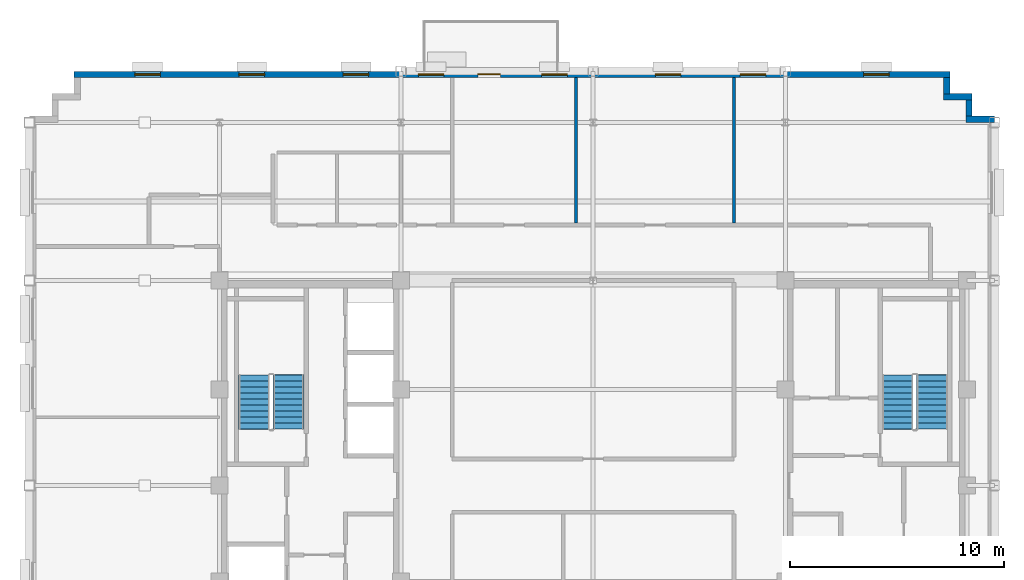
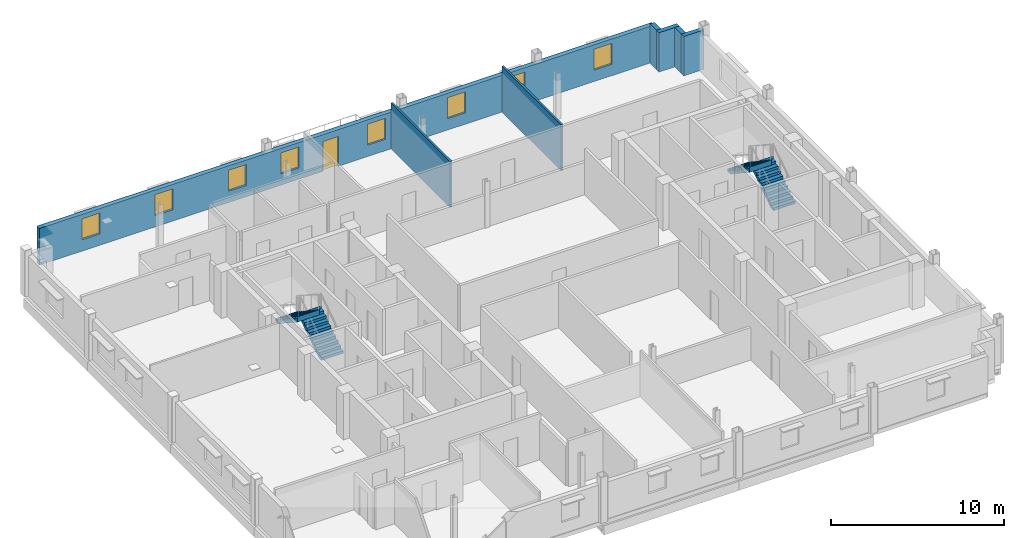
# One storey, part 9 of 14: 8 windows, 7 walls, 4 stair flights, 1 door, 9 openings, 2 elements without a shape of their own.
"""IFC4 building model written with IfcOpenShell, lengths in metres."""

from ifc_helpers import new_model, si_unit, direction, frame, frame_2d, origin, place, context, subcontext, project, spatial, polyline, rectangle, outline, extrude, source, transform, mapped, material, layer, layer_set, type_object, type_shapes, element, fill, aggregate, save


model = new_model("IFC4")

# Units and contexts
model_context = context("Model", 3, precision=1e-05, world=origin(), true_north=direction((0.0, 1.0)))
body_context = subcontext(model_context, "Body", "Model", "MODEL_VIEW")
ifc_project = project(units=[si_unit("LENGTHUNIT", "METRE"), si_unit("AREAUNIT", "SQUARE_METRE"), si_unit("VOLUMEUNIT", "CUBIC_METRE"), si_unit("PLANEANGLEUNIT", "RADIAN"), si_unit("MASSUNIT", "GRAM", prefix="KILO")], contexts=[model_context])

# Site, building, storey
site_placement = place(None, origin())
site = spatial("IfcSite", under=ifc_project, at=site_placement, CompositionType="ELEMENT")
building_placement = place(site_placement, origin())
building = spatial("IfcBuilding", under=site, at=building_placement, Name="Nuvemarco Arch Tower", CompositionType="ELEMENT")
storey_placement = place(building_placement, frame((0.0, 0.0, 242.0)))
storey = spatial("IfcBuildingStorey", under=building, at=storey_placement, Name="L64", CompositionType="ELEMENT", Elevation=242.0)

# Walls
ifc_material_1 = material(Name="Precast concrete C45/55", Category="concrete")
ifc_layer_1 = layer(ifc_material_1, 0.300048828125, Name="EW-HIGH-300")
ifc_layer_set_1 = layer_set([ifc_layer_1], Name="Precast concrete C45/55")
wall_type_1 = type_object("IfcWallType", Name="EW-HIGH-300", PredefinedType="STANDARD", material=ifc_layer_set_1)
wall_1_placement = place(storey_placement, frame((17.449951171875, 17.14990234375, 0.0), z_axis=(0.0, 0.0, 1.0), x_axis=(1.0, 0.0, 0.0)))
element("IfcWall", 1, at=wall_1_placement, inside=storey, type_object=wall_type_1, Name="L64 exterior precast facade wall 7", PredefinedType="STANDARD", context=body_context, shape_type="SweptSolid", body=[
    extrude(rectangle(XDim=1.35009765625, YDim=0.300048828125, at=frame_2d((0.675048828125, 0.0))), origin(), (0.0, 0.0, 1.0), 2.77197265625),
])
wall_2_placement = place(storey_placement, frame((17.60009765625, 17.2958984375, 0.0), z_axis=(0.0, 0.0, 1.0), x_axis=(0.0, 1.0, 0.0)))
element("IfcWall", 2, at=wall_2_placement, inside=storey, type_object=wall_type_1, Name="L64 exterior precast facade wall 8", PredefinedType="STANDARD", context=body_context, shape_type="SweptSolid", body=[
    extrude(rectangle(XDim=0.758056640625, YDim=0.300048828125, at=frame_2d((0.37890625, 0.0))), origin(), (0.0, 0.0, 1.0), 2.77197265625),
])
wall_3_placement = place(storey_placement, frame((16.39990234375, 18.199951171875, 0.0), z_axis=(0.0, 0.0, 1.0), x_axis=(1.0, 0.0, 0.0)))
element("IfcWall", 3, at=wall_3_placement, inside=storey, type_object=wall_type_1, Name="L64 exterior precast facade wall 9", PredefinedType="STANDARD", context=body_context, shape_type="SweptSolid", body=[
    extrude(rectangle(XDim=1.35009765625, YDim=0.300048828125, at=frame_2d((0.675048828125, 0.0))), origin(), (0.0, 0.0, 1.0), 2.77197265625),
])
wall_4_placement = place(storey_placement, frame((16.550048828125, 18.345947265625, 0.0), z_axis=(0.0, 0.0, 1.0), x_axis=(0.0, 1.0, 0.0)))
element("IfcWall", 4, at=wall_4_placement, inside=storey, type_object=wall_type_1, Name="L64 exterior precast facade wall 10", PredefinedType="STANDARD", context=body_context, shape_type="SweptSolid", body=[
    extrude(rectangle(XDim=0.758056640625, YDim=0.300048828125, at=frame_2d((0.37890625, 0.0))), origin(), (0.0, 0.0, 1.0), 2.77197265625),
])

# Wall, openings, door, windows
wall_5_placement = place(storey_placement, frame((-24.300048828125, 19.25, 0.0), z_axis=(0.0, 0.0, 1.0), x_axis=(1.0, 0.0, 0.0)))
wall_5 = element("IfcWall", 5, at=wall_5_placement, inside=storey, type_object=wall_type_1, Name="L64 exterior precast facade wall 11", PredefinedType="STANDARD", context=body_context, shape_type="SweptSolid", body=[
    extrude(rectangle(XDim=41.0, YDim=0.300048828125, at=frame_2d((20.5, 0.0))), origin(), (0.0, 0.0, 1.0), 2.5849609375),
])
opening_1_placement = place(wall_5_placement, frame((18.89990234375, 0.0, 0.0)))
opening_1 = element("IfcOpeningElement", 6, at=opening_1_placement, cuts=wall_5, Name="Opening ED-5", PredefinedType="OPENING", context=body_context, shape_type="SweptSolid", body=[
    extrude(rectangle(XDim=1.050048828125, YDim=2.10009765625, at=frame_2d((0.52490234375, 1.050048828125))), frame((0.0, 0.159912109375, 0.0), z_axis=(0.0, -1.0, 0.0), x_axis=(1.0, 0.0, 0.0)), (0.0, 0.0, 1.0), 0.320068359375),
])
opening_2_placement = place(wall_5_placement, frame((2.83740234375, 0.0, 0.800048828125)))
opening_2 = element("IfcOpeningElement", 7, at=opening_2_placement, cuts=wall_5, Name="Opening WN-8", PredefinedType="OPENING", context=body_context, shape_type="SweptSolid", body=[
    extrude(rectangle(XDim=1.199951171875, YDim=1.47998046875, at=frame_2d((0.60009765625, 0.739990234375))), frame((0.0, 0.159912109375, 0.0), z_axis=(0.0, -1.0, 0.0), x_axis=(1.0, 0.0, 0.0)), (0.0, 0.0, 1.0), 0.320068359375),
])
opening_3_placement = place(wall_5_placement, frame((7.71240234375, 0.0, 0.800048828125)))
opening_3 = element("IfcOpeningElement", 8, at=opening_3_placement, cuts=wall_5, Name="Opening WN-8", PredefinedType="OPENING", context=body_context, shape_type="SweptSolid", body=[
    extrude(rectangle(XDim=1.199951171875, YDim=1.47998046875, at=frame_2d((0.60009765625, 0.739990234375))), frame((0.0, 0.159912109375, 0.0), z_axis=(0.0, -1.0, 0.0), x_axis=(1.0, 0.0, 0.0)), (0.0, 0.0, 1.0), 0.320068359375),
])
opening_4_placement = place(wall_5_placement, frame((12.58740234375, 0.0, 0.800048828125)))
opening_4 = element("IfcOpeningElement", 9, at=opening_4_placement, cuts=wall_5, Name="Opening WN-8", PredefinedType="OPENING", context=body_context, shape_type="SweptSolid", body=[
    extrude(rectangle(XDim=1.199951171875, YDim=1.47998046875, at=frame_2d((0.60009765625, 0.739990234375))), frame((0.0, 0.159912109375, 0.0), z_axis=(0.0, -1.0, 0.0), x_axis=(1.0, 0.0, 0.0)), (0.0, 0.0, 1.0), 0.320068359375),
])
opening_5_placement = place(wall_5_placement, frame((16.112548828125, 0.0, 0.800048828125)))
opening_5 = element("IfcOpeningElement", 10, at=opening_5_placement, cuts=wall_5, Name="Opening WN-8", PredefinedType="OPENING", context=body_context, shape_type="SweptSolid", body=[
    extrude(rectangle(XDim=1.199951171875, YDim=1.47998046875, at=frame_2d((0.60009765625, 0.739990234375))), frame((0.0, 0.159912109375, 0.0), z_axis=(0.0, -1.0, 0.0), x_axis=(1.0, 0.0, 0.0)), (0.0, 0.0, 1.0), 0.320068359375),
])
opening_6_placement = place(wall_5_placement, frame((21.887451171875, 0.0, 0.800048828125)))
opening_6 = element("IfcOpeningElement", 11, at=opening_6_placement, cuts=wall_5, Name="Opening WN-8", PredefinedType="OPENING", context=body_context, shape_type="SweptSolid", body=[
    extrude(rectangle(XDim=1.199951171875, YDim=1.47998046875, at=frame_2d((0.60009765625, 0.739990234375))), frame((0.0, 0.159912109375, 0.0), z_axis=(0.0, -1.0, 0.0), x_axis=(1.0, 0.0, 0.0)), (0.0, 0.0, 1.0), 0.320068359375),
])
opening_7_placement = place(wall_5_placement, frame((27.21240234375, 0.0, 0.800048828125)))
opening_7 = element("IfcOpeningElement", 12, at=opening_7_placement, cuts=wall_5, Name="Opening WN-8", PredefinedType="OPENING", context=body_context, shape_type="SweptSolid", body=[
    extrude(rectangle(XDim=1.199951171875, YDim=1.47998046875, at=frame_2d((0.60009765625, 0.739990234375))), frame((0.0, 0.159912109375, 0.0), z_axis=(0.0, -1.0, 0.0), x_axis=(1.0, 0.0, 0.0)), (0.0, 0.0, 1.0), 0.320068359375),
])
opening_8_placement = place(wall_5_placement, frame((31.1875, 0.0, 0.800048828125)))
opening_8 = element("IfcOpeningElement", 13, at=opening_8_placement, cuts=wall_5, Name="Opening WN-8", PredefinedType="OPENING", context=body_context, shape_type="SweptSolid", body=[
    extrude(rectangle(XDim=1.199951171875, YDim=1.47998046875, at=frame_2d((0.60009765625, 0.739990234375))), frame((0.0, 0.159912109375, 0.0), z_axis=(0.0, -1.0, 0.0), x_axis=(1.0, 0.0, 0.0)), (0.0, 0.0, 1.0), 0.320068359375),
])
opening_9_placement = place(wall_5_placement, frame((36.96240234375, 0.0, 0.800048828125)))
opening_9 = element("IfcOpeningElement", 14, at=opening_9_placement, cuts=wall_5, Name="Opening WN-8", PredefinedType="OPENING", context=body_context, shape_type="SweptSolid", body=[
    extrude(rectangle(XDim=1.199951171875, YDim=1.47998046875, at=frame_2d((0.60009765625, 0.739990234375))), frame((0.0, 0.159912109375, 0.0), z_axis=(0.0, -1.0, 0.0), x_axis=(1.0, 0.0, 0.0)), (0.0, 0.0, 1.0), 0.320068359375),
])
ifc_material_2 = material(Name="Anodised bronze and laminated glass", Category="glass")
door_type = type_object("IfcDoorType", Name="DR-EXT-TERR", OperationType="NOTDEFINED", PredefinedType="DOOR", material=ifc_material_2)
shared_shape_1 = source(origin(), body_context, "Body", "SweptSolid", [
    extrude(rectangle(XDim=1.050048828125, YDim=2.10009765625, at=frame_2d((0.52490234375, 1.050048828125))), frame((0.0, 0.02490234375, 0.0), z_axis=(0.0, -1.0, 0.0), x_axis=(1.0, 0.0, 0.0)), (0.0, 0.0, 1.0), 0.050048828125),
])
type_shapes(door_type, [shared_shape_1])
door_placement = place(opening_1_placement, origin())
door = element("IfcDoor", 15, at=door_placement, inside=storey, type_object=door_type, Name="L64 spiral terrace access door", OperationType="SINGLE_SWING_LEFT", OverallHeight=2.10009765625, OverallWidth=1.050048828125, PredefinedType="DOOR", context=body_context, shape_type="MappedRepresentation", body=[
    mapped(shared_shape_1, transform((0.0, 0.0, 0.0), scale=1.0)),
])
fill(opening_1, door)
ifc_material_3 = material(Name="Insulated solar-control glass", Category="glass")
window_type = type_object("IfcWindowType", Name="WN-HIGH-1200x1480", PartitioningType="SINGLE_PANEL", PredefinedType="WINDOW", material=ifc_material_3)
shared_shape_2 = source(origin(), body_context, "Body", "SweptSolid", [
    extrude(rectangle(XDim=1.199951171875, YDim=1.47998046875, at=frame_2d((0.60009765625, 0.739990234375))), frame((0.0, 0.030029296875, 0.0), z_axis=(0.0, -1.0, 0.0), x_axis=(1.0, 0.0, 0.0)), (0.0, 0.0, 1.0), 0.06005859375),
])
type_shapes(window_type, [shared_shape_2])
window_1_placement = place(opening_2_placement, origin())
window_1 = element("IfcWindow", 16, at=window_1_placement, inside=storey, type_object=window_type, Name="L64 punched facade window 1", OverallHeight=1.47998046875, OverallWidth=1.199951171875, PartitioningType="SINGLE_PANEL", PredefinedType="WINDOW", context=body_context, shape_type="MappedRepresentation", body=[
    mapped(shared_shape_2, transform((0.0, 0.0, 0.0), scale=1.0)),
])
fill(opening_2, window_1)
window_2_placement = place(opening_3_placement, origin())
window_2 = element("IfcWindow", 17, at=window_2_placement, inside=storey, type_object=window_type, Name="L64 punched facade window 2", OverallHeight=1.47998046875, OverallWidth=1.199951171875, PartitioningType="SINGLE_PANEL", PredefinedType="WINDOW", context=body_context, shape_type="MappedRepresentation", body=[
    mapped(shared_shape_2, transform((0.0, 0.0, 0.0), scale=1.0)),
])
fill(opening_3, window_2)
window_3_placement = place(opening_4_placement, origin())
window_3 = element("IfcWindow", 18, at=window_3_placement, inside=storey, type_object=window_type, Name="L64 punched facade window 3", OverallHeight=1.47998046875, OverallWidth=1.199951171875, PartitioningType="SINGLE_PANEL", PredefinedType="WINDOW", context=body_context, shape_type="MappedRepresentation", body=[
    mapped(shared_shape_2, transform((0.0, 0.0, 0.0), scale=1.0)),
])
fill(opening_4, window_3)
window_4_placement = place(opening_5_placement, origin())
window_4 = element("IfcWindow", 19, at=window_4_placement, inside=storey, type_object=window_type, Name="L64 punched facade window 4", OverallHeight=1.47998046875, OverallWidth=1.199951171875, PartitioningType="SINGLE_PANEL", PredefinedType="WINDOW", context=body_context, shape_type="MappedRepresentation", body=[
    mapped(shared_shape_2, transform((0.0, 0.0, 0.0), scale=1.0)),
])
fill(opening_5, window_4)
window_5_placement = place(opening_6_placement, origin())
window_5 = element("IfcWindow", 20, at=window_5_placement, inside=storey, type_object=window_type, Name="L64 punched facade window 5", OverallHeight=1.47998046875, OverallWidth=1.199951171875, PartitioningType="SINGLE_PANEL", PredefinedType="WINDOW", context=body_context, shape_type="MappedRepresentation", body=[
    mapped(shared_shape_2, transform((0.0, 0.0, 0.0), scale=1.0)),
])
fill(opening_6, window_5)
window_6_placement = place(opening_7_placement, origin())
window_6 = element("IfcWindow", 21, at=window_6_placement, inside=storey, type_object=window_type, Name="L64 punched facade window 6", OverallHeight=1.47998046875, OverallWidth=1.199951171875, PartitioningType="SINGLE_PANEL", PredefinedType="WINDOW", context=body_context, shape_type="MappedRepresentation", body=[
    mapped(shared_shape_2, transform((0.0, 0.0, 0.0), scale=1.0)),
])
fill(opening_7, window_6)
window_7_placement = place(opening_8_placement, origin())
window_7 = element("IfcWindow", 22, at=window_7_placement, inside=storey, type_object=window_type, Name="L64 punched facade window 7", OverallHeight=1.47998046875, OverallWidth=1.199951171875, PartitioningType="SINGLE_PANEL", PredefinedType="WINDOW", context=body_context, shape_type="MappedRepresentation", body=[
    mapped(shared_shape_2, transform((0.0, 0.0, 0.0), scale=1.0)),
])
fill(opening_8, window_7)
window_8_placement = place(opening_9_placement, origin())
window_8 = element("IfcWindow", 23, at=window_8_placement, inside=storey, type_object=window_type, Name="L64 punched facade window 8", OverallHeight=1.47998046875, OverallWidth=1.199951171875, PartitioningType="SINGLE_PANEL", PredefinedType="WINDOW", context=body_context, shape_type="MappedRepresentation", body=[
    mapped(shared_shape_2, transform((0.0, 0.0, 0.0), scale=1.0)),
])
fill(opening_9, window_8)

# Walls
ifc_material_4 = material(Name="Glazed acoustic office partition")
ifc_layer_2 = layer(ifc_material_4, 0.1298828125, Name="WL-EXEC-130")
ifc_layer_set_2 = layer_set([ifc_layer_2], Name="Glazed acoustic office partition")
wall_type_2 = type_object("IfcWallType", Name="WL-EXEC-130", PredefinedType="PARTITIONING", material=ifc_layer_set_2)
for number, where, z_axis, x_axis, name in (
    (24, (-0.800048828125, 12.285888671875, 0.0), (0.0, 0.0, 1.0), (0.0, 1.0, 0.0), "L64 interior wall IW-L64-034"),
    (25, (6.60009765625, 12.285888671875, 0.0), (0.0, 0.0, 1.0), (0.0, 1.0, 0.0), "L64 interior wall IW-L64-037"),
):
    element("IfcWall", number, at=place(storey_placement, frame(where, z_axis=z_axis, x_axis=x_axis)), inside=storey, type_object=wall_type_2, Name=name, PredefinedType="PARTITIONING", context=body_context, shape_type="SweptSolid", body=[
        extrude(rectangle(XDim=6.814208984375, YDim=0.1298828125, at=frame_2d((3.4072265625, 0.0))), origin(), (0.0, 0.0, 1.0), 3.239990234375),
    ])

# Stair, stair flights
stair_type = type_object("IfcStairType", Name="ST-CORE-20R", PredefinedType="HALF_TURN_STAIR", material=ifc_material_1)
stair_1_placement = place(storey_placement, origin())
stair_1 = element("IfcStair", 26, at=stair_1_placement, inside=storey, type_object=stair_type, Name="L64 Protected Exit Stair ST-1", PredefinedType="HALF_TURN_STAIR")
stair_flight_type = type_object("IfcStairFlightType", Name="SF-CORE-20R", PredefinedType="STRAIGHT", material=ifc_material_1)
stair_flight_1_placement = place(storey_placement, frame((-14.264892578125, 2.64990234375, 0.0), z_axis=(0.0, 0.0, 1.0), x_axis=(0.0, 1.0, 0.0)))
stair_flight_1 = element("IfcStairFlight", 27, at=stair_flight_1_placement, type_object=stair_flight_type, Name="ST-20R flight 1", NumberOfRisers=10, NumberOfTreads=9, PredefinedType="STRAIGHT", RiserHeight=0.1825, TreadLength=0.28, context=body_context, shape_type="SweptSolid", body=[
    extrude(outline(polyline([(0.0, 0.0), (0.0, 0.1826171875), (0.280029296875, 0.1826171875), (0.280029296875, 0.364990234375), (0.56005859375, 0.364990234375), (0.56005859375, 0.547607421875), (0.840087890625, 0.547607421875), (0.840087890625, 0.72998046875), (1.1201171875, 0.72998046875), (1.1201171875, 0.91259765625), (1.39990234375, 0.91259765625), (1.39990234375, 1.094970703125), (1.679931640625, 1.094970703125), (1.679931640625, 1.277587890625), (1.9599609375, 1.277587890625), (1.9599609375, 1.4599609375), (2.239990234375, 1.4599609375), (2.239990234375, 1.642578125), (2.52001953125, 1.642578125), (2.52001953125, 1.824951171875), (2.5400390625, 1.824951171875), (2.5400390625, 1.45166015625), (0.312744140625, 0.0), (0.0, 0.0)])), frame((0.0, 0.72509765625, 0.0), z_axis=(0.0, -1.0, 0.0), x_axis=(1.0, 0.0, 0.0)), (0.0, 0.0, 1.0), 1.449951171875),
])
stair_flight_2_placement = place(storey_placement, frame((-15.875, 5.169921875, 1.824951171875), z_axis=(0.0, 0.0, 1.0), x_axis=(0.0, -1.0, 0.0)))
stair_flight_2 = element("IfcStairFlight", 28, at=stair_flight_2_placement, type_object=stair_flight_type, Name="ST-20R flight 2", NumberOfRisers=10, NumberOfTreads=9, PredefinedType="STRAIGHT", RiserHeight=0.1825, TreadLength=0.28, context=body_context, shape_type="SweptSolid", body=[
    extrude(outline(polyline([(0.0, 0.0), (0.0, 0.1826171875), (0.280029296875, 0.1826171875), (0.280029296875, 0.364990234375), (0.56005859375, 0.364990234375), (0.56005859375, 0.547607421875), (0.840087890625, 0.547607421875), (0.840087890625, 0.72998046875), (1.1201171875, 0.72998046875), (1.1201171875, 0.91259765625), (1.39990234375, 0.91259765625), (1.39990234375, 1.094970703125), (1.679931640625, 1.094970703125), (1.679931640625, 1.277587890625), (1.9599609375, 1.277587890625), (1.9599609375, 1.4599609375), (2.239990234375, 1.4599609375), (2.239990234375, 1.642578125), (2.52001953125, 1.642578125), (2.52001953125, 1.824951171875), (2.5400390625, 1.824951171875), (2.5400390625, 1.45166015625), (0.312744140625, 0.0), (0.0, 0.0)])), frame((0.0, 0.72509765625, 0.0), z_axis=(0.0, -1.0, 0.0), x_axis=(1.0, 0.0, 0.0)), (0.0, 0.0, 1.0), 1.449951171875),
])
aggregate(stair_1, [stair_flight_1, stair_flight_2])

stair_2_placement = place(storey_placement, origin())
stair_2 = element("IfcStair", 29, at=stair_2_placement, inside=storey, type_object=stair_type, Name="L64 Protected Exit Stair ST-2", PredefinedType="HALF_TURN_STAIR")
stair_flight_3_placement = place(storey_placement, frame((15.875, 2.64990234375, 0.0), z_axis=(0.0, 0.0, 1.0), x_axis=(0.0, 1.0, 0.0)))
stair_flight_3 = element("IfcStairFlight", 30, at=stair_flight_3_placement, type_object=stair_flight_type, Name="ST-20R flight 1", NumberOfRisers=10, NumberOfTreads=9, PredefinedType="STRAIGHT", RiserHeight=0.1825, TreadLength=0.28, context=body_context, shape_type="SweptSolid", body=[
    extrude(outline(polyline([(0.0, 0.0), (0.0, 0.1826171875), (0.280029296875, 0.1826171875), (0.280029296875, 0.364990234375), (0.56005859375, 0.364990234375), (0.56005859375, 0.547607421875), (0.840087890625, 0.547607421875), (0.840087890625, 0.72998046875), (1.1201171875, 0.72998046875), (1.1201171875, 0.91259765625), (1.39990234375, 0.91259765625), (1.39990234375, 1.094970703125), (1.679931640625, 1.094970703125), (1.679931640625, 1.277587890625), (1.9599609375, 1.277587890625), (1.9599609375, 1.4599609375), (2.239990234375, 1.4599609375), (2.239990234375, 1.642578125), (2.52001953125, 1.642578125), (2.52001953125, 1.824951171875), (2.5400390625, 1.824951171875), (2.5400390625, 1.45166015625), (0.312744140625, 0.0), (0.0, 0.0)])), frame((0.0, 0.72509765625, 0.0), z_axis=(0.0, -1.0, 0.0), x_axis=(1.0, 0.0, 0.0)), (0.0, 0.0, 1.0), 1.449951171875),
])
stair_flight_4_placement = place(storey_placement, frame((14.264892578125, 5.169921875, 1.824951171875), z_axis=(0.0, 0.0, 1.0), x_axis=(0.0, -1.0, 0.0)))
stair_flight_4 = element("IfcStairFlight", 31, at=stair_flight_4_placement, type_object=stair_flight_type, Name="ST-20R flight 2", NumberOfRisers=10, NumberOfTreads=9, PredefinedType="STRAIGHT", RiserHeight=0.1825, TreadLength=0.28, context=body_context, shape_type="SweptSolid", body=[
    extrude(outline(polyline([(0.0, 0.0), (0.0, 0.1826171875), (0.280029296875, 0.1826171875), (0.280029296875, 0.364990234375), (0.56005859375, 0.364990234375), (0.56005859375, 0.547607421875), (0.840087890625, 0.547607421875), (0.840087890625, 0.72998046875), (1.1201171875, 0.72998046875), (1.1201171875, 0.91259765625), (1.39990234375, 0.91259765625), (1.39990234375, 1.094970703125), (1.679931640625, 1.094970703125), (1.679931640625, 1.277587890625), (1.9599609375, 1.277587890625), (1.9599609375, 1.4599609375), (2.239990234375, 1.4599609375), (2.239990234375, 1.642578125), (2.52001953125, 1.642578125), (2.52001953125, 1.824951171875), (2.5400390625, 1.824951171875), (2.5400390625, 1.45166015625), (0.312744140625, 0.0), (0.0, 0.0)])), frame((0.0, 0.72509765625, 0.0), z_axis=(0.0, -1.0, 0.0), x_axis=(1.0, 0.0, 0.0)), (0.0, 0.0, 1.0), 1.449951171875),
])
aggregate(stair_2, [stair_flight_3, stair_flight_4])

save(model, "model.ifc")
